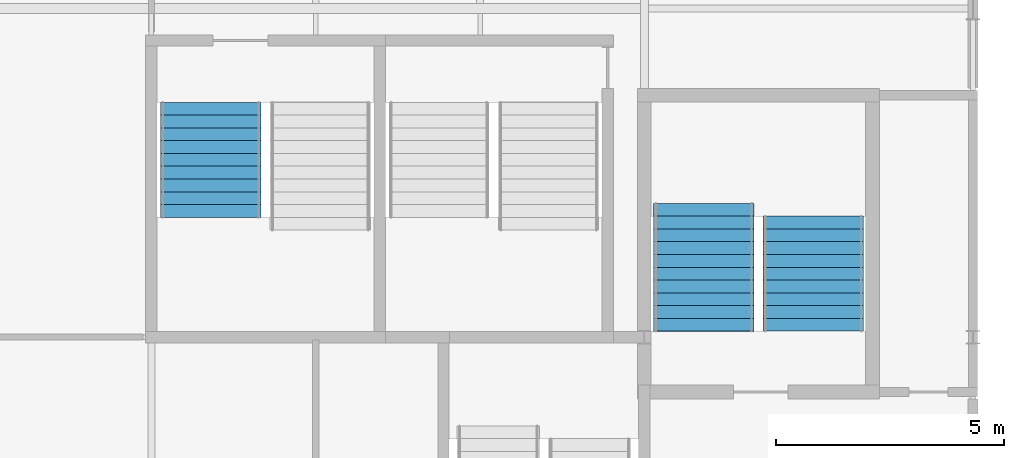
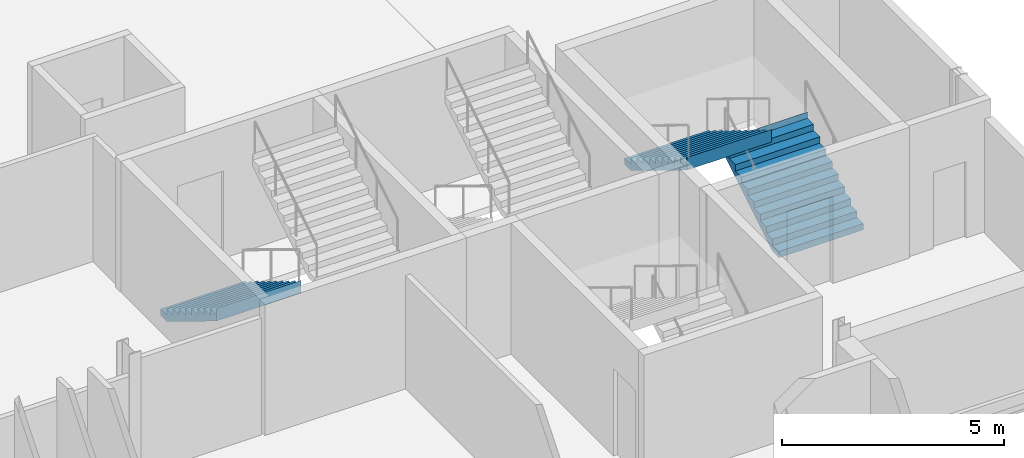
# One storey, part 92 of 143: 3 stair flights, 2 elements without a shape of their own.
"""IFC4 building model written with IfcOpenShell, lengths in metres."""

from ifc_helpers import new_model, si_unit, direction, frame, origin, place, context, subcontext, project, spatial, polyline, outline, extrude, material, type_object, element, aggregate, save


model = new_model("IFC4")

# Units and contexts
model_context = context("Model", 3, precision=1e-05, world=origin(), true_north=direction((0.0, 1.0)))
body_context = subcontext(model_context, "Body", "Model", "MODEL_VIEW")
ifc_project = project(units=[si_unit("LENGTHUNIT", "METRE"), si_unit("AREAUNIT", "SQUARE_METRE"), si_unit("VOLUMEUNIT", "CUBIC_METRE"), si_unit("PLANEANGLEUNIT", "RADIAN"), si_unit("MASSUNIT", "GRAM", prefix="KILO")], contexts=[model_context])

# Site, building, storey
site_placement = place(None, origin())
site = spatial("IfcSite", under=ifc_project, at=site_placement, CompositionType="ELEMENT")
building_placement = place(site_placement, origin())
building = spatial("IfcBuilding", under=site, at=building_placement, Name="Kupolbacken Congress Centre", CompositionType="ELEMENT")
storey_placement = place(building_placement, frame((0.0, 0.0, 7.199951171875)))
storey = spatial("IfcBuildingStorey", under=building, at=storey_placement, Name="L02", CompositionType="ELEMENT", Elevation=7.199951171875)

# Stair, stair flight
ifc_material_1 = material(Name="Concrete C30/37", Category="concrete")
stair_type = type_object("IfcStairType", Name="ST13 stair 2200", PredefinedType="TWO_STRAIGHT_RUN_STAIR", material=ifc_material_1)
stair_1_placement = place(storey_placement, origin())
stair_1 = element("IfcStair", 1, at=stair_1_placement, inside=storey, type_object=stair_type, Name="C/stair/PS1SE/L02", PredefinedType="NOTDEFINED")
ifc_material_2 = material(Name="Concrete C30/37", Category="concrete")
stair_flight_type_1 = type_object("IfcStairFlightType", Name="FL13 stair flight 2200 x 10 risers", PredefinedType="STRAIGHT", material=ifc_material_2)
stair_flight_1_placement = place(storey_placement, frame((69.699951171875, 55.544921875, 0.0), z_axis=(0.0, 0.0, 1.0), x_axis=(0.0, -1.0, 0.0)))
stair_flight_1 = element("IfcStairFlight", 2, at=stair_flight_1_placement, type_object=stair_flight_type_1, Name="PS1SE flight 1", NumberOfRisers=10, NumberOfTreads=9, PredefinedType="STRAIGHT", RiserHeight=0.171428571, TreadLength=0.28, context=body_context, shape_type="SweptSolid", body=[
    extrude(outline(polyline([(0.0, 0.0), (0.0, 0.0009765625), (0.0, 0.002197265625), (0.0, 0.003173828125), (0.0, 0.004150390625), (0.0, 0.00537109375), (0.0, 0.00634765625), (0.0, 0.007568359375), (0.0, 0.008544921875), (0.0, 0.009521484375), (0.0, 0.0107421875), (0.0, 0.01171875), (0.0, 0.0126953125), (0.0, 0.013916015625), (0.0, 0.014892578125), (0.0, 0.015869140625), (0.0, 0.01708984375), (0.0, 0.01806640625), (0.0, 0.019287109375), (0.0, 0.020263671875), (0.0, 0.021240234375), (0.0, 0.0224609375), (0.0, 0.0234375), (0.0, 0.0244140625), (0.0, 0.025634765625), (0.0, 0.026611328125), (0.0, 0.027587890625), (0.0, 0.02880859375), (0.0, 0.02978515625), (0.0, 0.03076171875), (0.0, 0.031982421875), (0.0, 0.032958984375), (0.0, 0.0341796875), (0.0, 0.03515625), (0.0, 0.0361328125), (0.0, 0.037353515625), (0.0, 0.038330078125), (0.0, 0.039306640625), (0.0, 0.04052734375), (0.0, 0.04150390625), (0.0, 0.04248046875), (0.0, 0.043701171875), (0.0, 0.044677734375), (0.0, 0.0458984375), (0.0, 0.046875), (0.0, 0.0478515625), (0.0, 0.049072265625), (0.0, 0.050048828125), (0.0, 0.051025390625), (0.0, 0.05224609375), (0.0, 0.05322265625), (0.0, 0.05419921875), (0.0, 0.055419921875), (0.0, 0.056396484375), (0.0, 0.0576171875), (0.0, 0.05859375), (0.0, 0.0595703125), (0.0, 0.060791015625), (0.0, 0.061767578125), (0.0, 0.062744140625), (0.0, 0.06396484375), (0.0, 0.06494140625), (0.0, 0.06591796875), (0.0, 0.067138671875), (0.0, 0.068115234375), (0.0, 0.069091796875), (0.0, 0.0703125), (0.0, 0.0712890625), (0.0, 0.072509765625), (0.0, 0.073486328125), (0.0, 0.074462890625), (0.0, 0.07568359375), (0.0, 0.07666015625), (0.0, 0.07763671875), (0.0, 0.078857421875), (0.0, 0.079833984375), (0.0, 0.080810546875), (0.0, 0.08203125), (0.0, 0.0830078125), (0.0, 0.084228515625), (0.0, 0.085205078125), (0.0, 0.086181640625), (0.0, 0.08740234375), (0.0, 0.08837890625), (0.0, 0.08935546875), (0.0, 0.090576171875), (0.0, 0.091552734375), (0.0, 0.092529296875), (0.0, 0.09375), (0.0, 0.0947265625), (0.0, 0.095947265625), (0.0, 0.096923828125), (0.0, 0.097900390625), (0.0, 0.09912109375), (0.0, 0.10009765625), (0.0, 0.10107421875), (0.0, 0.102294921875), (0.0, 0.103271484375), (0.0, 0.104248046875), (0.0, 0.10546875), (0.0, 0.1064453125), (0.0, 0.107421875), (0.0, 0.108642578125), (0.0, 0.109619140625), (0.0, 0.11083984375), (0.0, 0.11181640625), (0.0, 0.11279296875), (0.0, 0.114013671875), (0.0, 0.114990234375), (0.0, 0.115966796875), (0.0, 0.1171875), (0.0, 0.1181640625), (0.0, 0.119140625), (0.0, 0.120361328125), (0.0, 0.121337890625), (0.0, 0.12255859375), (0.0, 0.12353515625), (0.0, 0.12451171875), (0.0, 0.125732421875), (0.0, 0.126708984375), (0.0, 0.127685546875), (0.0, 0.12890625), (0.0, 0.1298828125), (0.0, 0.130859375), (0.0, 0.132080078125), (0.0, 0.133056640625), (0.0, 0.13427734375), (0.0, 0.13525390625), (0.0, 0.13623046875), (0.0, 0.137451171875), (0.0, 0.138427734375), (0.0, 0.139404296875), (0.0, 0.140625), (0.0, 0.1416015625), (0.0, 0.142578125), (0.0, 0.143798828125), (0.0, 0.144775390625), (0.0, 0.145751953125), (0.0, 0.14697265625), (0.0, 0.14794921875), (0.0, 0.149169921875), (0.0, 0.150146484375), (0.0, 0.151123046875), (0.0, 0.15234375), (0.0, 0.1533203125), (0.0, 0.154296875), (0.0, 0.155517578125), (0.0, 0.156494140625), (0.0, 0.157470703125), (0.0, 0.15869140625), (0.0, 0.15966796875), (0.0, 0.160888671875), (0.0, 0.161865234375), (0.0, 0.162841796875), (0.0, 0.1640625), (0.0, 0.1650390625), (0.0, 0.166015625), (0.0, 0.167236328125), (0.0, 0.168212890625), (0.0, 0.169189453125), (0.0, 0.17041015625), (0.0, 0.17138671875), (0.280029296875, 0.17138671875), (0.280029296875, 0.3427734375), (0.56005859375, 0.3427734375), (0.56005859375, 0.514404296875), (0.840087890625, 0.514404296875), (0.840087890625, 0.685791015625), (1.1201171875, 0.685791015625), (1.1201171875, 0.857177734375), (1.39990234375, 0.857177734375), (1.39990234375, 1.028564453125), (1.679931640625, 1.028564453125), (1.679931640625, 1.199951171875), (1.9599609375, 1.199951171875), (1.9599609375, 1.371337890625), (2.239990234375, 1.371337890625), (2.239990234375, 1.54296875), (2.52001953125, 1.54296875), (2.52001953125, 1.71435546875), (2.52197265625, 1.71435546875), (2.52197265625, 1.712158203125), (2.52197265625, 1.7099609375), (2.52197265625, 1.707763671875), (2.52197265625, 1.70556640625), (2.52197265625, 1.70361328125), (2.52197265625, 1.701416015625), (2.52197265625, 1.69921875), (2.52197265625, 1.697021484375), (2.52197265625, 1.69482421875), (2.52197265625, 1.692626953125), (2.52197265625, 1.690673828125), (2.52197265625, 1.6884765625), (2.52197265625, 1.686279296875), (2.52197265625, 1.68408203125), (2.52197265625, 1.681884765625), (2.52197265625, 1.6796875), (2.52197265625, 1.677734375), (2.52197265625, 1.675537109375), (2.52197265625, 1.67333984375), (2.52197265625, 1.671142578125), (2.52197265625, 1.6689453125), (2.52197265625, 1.666748046875), (2.52197265625, 1.664794921875), (2.52197265625, 1.66259765625), (2.52197265625, 1.660400390625), (2.52197265625, 1.658203125), (2.52197265625, 1.656005859375), (2.52197265625, 1.65380859375), (2.52197265625, 1.65185546875), (2.52197265625, 1.649658203125), (2.52197265625, 1.6474609375), (2.52197265625, 1.645263671875), (2.52197265625, 1.64306640625), (2.52197265625, 1.640869140625), (2.52197265625, 1.638916015625), (2.52197265625, 1.63671875), (2.52197265625, 1.634521484375), (2.52197265625, 1.63232421875), (2.52197265625, 1.630126953125), (2.52197265625, 1.6279296875), (2.52197265625, 1.6259765625), (2.52197265625, 1.623779296875), (2.52197265625, 1.62158203125), (2.52197265625, 1.619384765625), (2.52197265625, 1.6171875), (2.52197265625, 1.614990234375), (2.52197265625, 1.613037109375), (2.52197265625, 1.61083984375), (2.52197265625, 1.608642578125), (2.52197265625, 1.6064453125), (2.52197265625, 1.604248046875), (2.52197265625, 1.60205078125), (2.52197265625, 1.60009765625), (2.52197265625, 1.597900390625), (2.52197265625, 1.595703125), (2.52197265625, 1.593505859375), (2.52197265625, 1.59130859375), (2.52197265625, 1.589111328125), (2.52197265625, 1.587158203125), (2.52197265625, 1.5849609375), (2.52197265625, 1.582763671875), (2.52197265625, 1.58056640625), (2.52197265625, 1.578369140625), (2.52197265625, 1.576171875), (2.52197265625, 1.57421875), (2.52197265625, 1.572021484375), (2.52197265625, 1.56982421875), (2.52197265625, 1.567626953125), (2.52197265625, 1.5654296875), (2.52197265625, 1.563232421875), (2.52197265625, 1.561279296875), (2.52197265625, 1.55908203125), (2.52197265625, 1.556884765625), (2.52197265625, 1.5546875), (2.52197265625, 1.552490234375), (2.52197265625, 1.55029296875), (2.52197265625, 1.54833984375), (2.52197265625, 1.546142578125), (2.52197265625, 1.5439453125), (2.52197265625, 1.541748046875), (2.52197265625, 1.53955078125), (2.52197265625, 1.537353515625), (2.52197265625, 1.535400390625), (2.52197265625, 1.533203125), (2.52197265625, 1.531005859375), (2.52197265625, 1.52880859375), (2.52197265625, 1.526611328125), (2.52197265625, 1.5244140625), (2.52197265625, 1.5224609375), (2.52197265625, 1.520263671875), (2.52197265625, 1.51806640625), (2.52197265625, 1.515869140625), (2.52197265625, 1.513671875), (2.52197265625, 1.511474609375), (2.52197265625, 1.509521484375), (2.52197265625, 1.50732421875), (2.52197265625, 1.505126953125), (2.52197265625, 1.5029296875), (2.52197265625, 1.500732421875), (2.52197265625, 1.49853515625), (2.52197265625, 1.49658203125), (2.52197265625, 1.494384765625), (2.52197265625, 1.4921875), (2.52197265625, 1.489990234375), (2.52197265625, 1.48779296875), (2.52197265625, 1.485595703125), (2.52197265625, 1.483642578125), (2.52197265625, 1.4814453125), (2.52197265625, 1.479248046875), (2.52197265625, 1.47705078125), (2.52197265625, 1.474853515625), (2.52197265625, 1.47265625), (2.52197265625, 1.470703125), (2.52197265625, 1.468505859375), (2.52197265625, 1.46630859375), (2.52197265625, 1.464111328125), (2.52197265625, 1.4619140625), (2.52197265625, 1.459716796875), (2.52197265625, 1.457763671875), (2.52197265625, 1.45556640625), (2.52197265625, 1.453369140625), (2.52197265625, 1.451171875), (2.52197265625, 1.448974609375), (2.52197265625, 1.44677734375), (2.52197265625, 1.44482421875), (2.52197265625, 1.442626953125), (2.52197265625, 1.4404296875), (2.52197265625, 1.438232421875), (2.52197265625, 1.43603515625), (2.52197265625, 1.433837890625), (2.52197265625, 1.431884765625), (2.52197265625, 1.4296875), (2.52197265625, 1.427490234375), (2.52197265625, 1.42529296875), (2.52197265625, 1.423095703125), (2.52197265625, 1.4208984375), (2.52197265625, 1.4189453125), (2.52197265625, 1.416748046875), (2.52197265625, 1.41455078125), (2.52197265625, 1.412353515625), (2.52197265625, 1.41015625), (2.52197265625, 1.407958984375), (2.52197265625, 1.406005859375), (2.52197265625, 1.40380859375), (2.52197265625, 1.401611328125), (2.52197265625, 1.3994140625), (2.52197265625, 1.397216796875), (2.52197265625, 1.39501953125), (2.52197265625, 1.39306640625), (2.52197265625, 1.390869140625), (2.52197265625, 1.388671875), (2.52197265625, 1.386474609375), (2.52197265625, 1.38427734375), (2.52197265625, 1.382080078125), (2.52197265625, 1.380126953125), (2.52197265625, 1.3779296875), (2.52197265625, 1.375732421875), (2.52197265625, 1.37353515625), (2.52197265625, 1.371337890625), (2.52197265625, 1.369140625), (2.52197265625, 1.3671875), (0.2890625, 0.0), (0.0, 0.0)])), frame((0.0, 1.10009765625, 0.0), z_axis=(0.0, -1.0, 0.0), x_axis=(1.0, 0.0, 0.0)), (0.0, 0.0, 1.0), 2.199951171875),
])
aggregate(stair_1, [stair_flight_1])

# Stair, stair flights
stair_2_placement = place(storey_placement, origin())
stair_2 = element("IfcStair", 3, at=stair_2_placement, inside=storey, type_object=stair_type, Name="C/stair/LS1/L02", PredefinedType="NOTDEFINED")
stair_flight_2_placement = place(storey_placement, frame((82.89990234375, 50.530029296875, 0.0), z_axis=(0.0, 0.0, 1.0), x_axis=(0.0, 1.0, 0.0)))
stair_flight_2 = element("IfcStairFlight", 4, at=stair_flight_2_placement, type_object=stair_flight_type_1, Name="LS1 flight 1", NumberOfRisers=10, NumberOfTreads=9, PredefinedType="STRAIGHT", RiserHeight=0.171428571, TreadLength=0.28, context=body_context, shape_type="SweptSolid", body=[
    extrude(outline(polyline([(0.0, 0.0), (0.0, 0.0009765625), (0.0, 0.002197265625), (0.0, 0.003173828125), (0.0, 0.004150390625), (0.0, 0.00537109375), (0.0, 0.00634765625), (0.0, 0.007568359375), (0.0, 0.008544921875), (0.0, 0.009521484375), (0.0, 0.0107421875), (0.0, 0.01171875), (0.0, 0.0126953125), (0.0, 0.013916015625), (0.0, 0.014892578125), (0.0, 0.015869140625), (0.0, 0.01708984375), (0.0, 0.01806640625), (0.0, 0.019287109375), (0.0, 0.020263671875), (0.0, 0.021240234375), (0.0, 0.0224609375), (0.0, 0.0234375), (0.0, 0.0244140625), (0.0, 0.025634765625), (0.0, 0.026611328125), (0.0, 0.027587890625), (0.0, 0.02880859375), (0.0, 0.02978515625), (0.0, 0.03076171875), (0.0, 0.031982421875), (0.0, 0.032958984375), (0.0, 0.0341796875), (0.0, 0.03515625), (0.0, 0.0361328125), (0.0, 0.037353515625), (0.0, 0.038330078125), (0.0, 0.039306640625), (0.0, 0.04052734375), (0.0, 0.04150390625), (0.0, 0.04248046875), (0.0, 0.043701171875), (0.0, 0.044677734375), (0.0, 0.0458984375), (0.0, 0.046875), (0.0, 0.0478515625), (0.0, 0.049072265625), (0.0, 0.050048828125), (0.0, 0.051025390625), (0.0, 0.05224609375), (0.0, 0.05322265625), (0.0, 0.05419921875), (0.0, 0.055419921875), (0.0, 0.056396484375), (0.0, 0.0576171875), (0.0, 0.05859375), (0.0, 0.0595703125), (0.0, 0.060791015625), (0.0, 0.061767578125), (0.0, 0.062744140625), (0.0, 0.06396484375), (0.0, 0.06494140625), (0.0, 0.06591796875), (0.0, 0.067138671875), (0.0, 0.068115234375), (0.0, 0.069091796875), (0.0, 0.0703125), (0.0, 0.0712890625), (0.0, 0.072509765625), (0.0, 0.073486328125), (0.0, 0.074462890625), (0.0, 0.07568359375), (0.0, 0.07666015625), (0.0, 0.07763671875), (0.0, 0.078857421875), (0.0, 0.079833984375), (0.0, 0.080810546875), (0.0, 0.08203125), (0.0, 0.0830078125), (0.0, 0.084228515625), (0.0, 0.085205078125), (0.0, 0.086181640625), (0.0, 0.08740234375), (0.0, 0.08837890625), (0.0, 0.08935546875), (0.0, 0.090576171875), (0.0, 0.091552734375), (0.0, 0.092529296875), (0.0, 0.09375), (0.0, 0.0947265625), (0.0, 0.095947265625), (0.0, 0.096923828125), (0.0, 0.097900390625), (0.0, 0.09912109375), (0.0, 0.10009765625), (0.0, 0.10107421875), (0.0, 0.102294921875), (0.0, 0.103271484375), (0.0, 0.104248046875), (0.0, 0.10546875), (0.0, 0.1064453125), (0.0, 0.107421875), (0.0, 0.108642578125), (0.0, 0.109619140625), (0.0, 0.11083984375), (0.0, 0.11181640625), (0.0, 0.11279296875), (0.0, 0.114013671875), (0.0, 0.114990234375), (0.0, 0.115966796875), (0.0, 0.1171875), (0.0, 0.1181640625), (0.0, 0.119140625), (0.0, 0.120361328125), (0.0, 0.121337890625), (0.0, 0.12255859375), (0.0, 0.12353515625), (0.0, 0.12451171875), (0.0, 0.125732421875), (0.0, 0.126708984375), (0.0, 0.127685546875), (0.0, 0.12890625), (0.0, 0.1298828125), (0.0, 0.130859375), (0.0, 0.132080078125), (0.0, 0.133056640625), (0.0, 0.13427734375), (0.0, 0.13525390625), (0.0, 0.13623046875), (0.0, 0.137451171875), (0.0, 0.138427734375), (0.0, 0.139404296875), (0.0, 0.140625), (0.0, 0.1416015625), (0.0, 0.142578125), (0.0, 0.143798828125), (0.0, 0.144775390625), (0.0, 0.145751953125), (0.0, 0.14697265625), (0.0, 0.14794921875), (0.0, 0.149169921875), (0.0, 0.150146484375), (0.0, 0.151123046875), (0.0, 0.15234375), (0.0, 0.1533203125), (0.0, 0.154296875), (0.0, 0.155517578125), (0.0, 0.156494140625), (0.0, 0.157470703125), (0.0, 0.15869140625), (0.0, 0.15966796875), (0.0, 0.160888671875), (0.0, 0.161865234375), (0.0, 0.162841796875), (0.0, 0.1640625), (0.0, 0.1650390625), (0.0, 0.166015625), (0.0, 0.167236328125), (0.0, 0.168212890625), (0.0, 0.169189453125), (0.0, 0.17041015625), (0.0, 0.17138671875), (0.280029296875, 0.17138671875), (0.280029296875, 0.3427734375), (0.56005859375, 0.3427734375), (0.56005859375, 0.514404296875), (0.840087890625, 0.514404296875), (0.840087890625, 0.685791015625), (1.1201171875, 0.685791015625), (1.1201171875, 0.857177734375), (1.39990234375, 0.857177734375), (1.39990234375, 1.028564453125), (1.679931640625, 1.028564453125), (1.679931640625, 1.199951171875), (1.9599609375, 1.199951171875), (1.9599609375, 1.371337890625), (2.239990234375, 1.371337890625), (2.239990234375, 1.54296875), (2.52001953125, 1.54296875), (2.52001953125, 1.71435546875), (2.52197265625, 1.71435546875), (2.52197265625, 1.712158203125), (2.52197265625, 1.7099609375), (2.52197265625, 1.707763671875), (2.52197265625, 1.70556640625), (2.52197265625, 1.70361328125), (2.52197265625, 1.701416015625), (2.52197265625, 1.69921875), (2.52197265625, 1.697021484375), (2.52197265625, 1.69482421875), (2.52197265625, 1.692626953125), (2.52197265625, 1.690673828125), (2.52197265625, 1.6884765625), (2.52197265625, 1.686279296875), (2.52197265625, 1.68408203125), (2.52197265625, 1.681884765625), (2.52197265625, 1.6796875), (2.52197265625, 1.677734375), (2.52197265625, 1.675537109375), (2.52197265625, 1.67333984375), (2.52197265625, 1.671142578125), (2.52197265625, 1.6689453125), (2.52197265625, 1.666748046875), (2.52197265625, 1.664794921875), (2.52197265625, 1.66259765625), (2.52197265625, 1.660400390625), (2.52197265625, 1.658203125), (2.52197265625, 1.656005859375), (2.52197265625, 1.65380859375), (2.52197265625, 1.65185546875), (2.52197265625, 1.649658203125), (2.52197265625, 1.6474609375), (2.52197265625, 1.645263671875), (2.52197265625, 1.64306640625), (2.52197265625, 1.640869140625), (2.52197265625, 1.638916015625), (2.52197265625, 1.63671875), (2.52197265625, 1.634521484375), (2.52197265625, 1.63232421875), (2.52197265625, 1.630126953125), (2.52197265625, 1.6279296875), (2.52197265625, 1.6259765625), (2.52197265625, 1.623779296875), (2.52197265625, 1.62158203125), (2.52197265625, 1.619384765625), (2.52197265625, 1.6171875), (2.52197265625, 1.614990234375), (2.52197265625, 1.613037109375), (2.52197265625, 1.61083984375), (2.52197265625, 1.608642578125), (2.52197265625, 1.6064453125), (2.52197265625, 1.604248046875), (2.52197265625, 1.60205078125), (2.52197265625, 1.60009765625), (2.52197265625, 1.597900390625), (2.52197265625, 1.595703125), (2.52197265625, 1.593505859375), (2.52197265625, 1.59130859375), (2.52197265625, 1.589111328125), (2.52197265625, 1.587158203125), (2.52197265625, 1.5849609375), (2.52197265625, 1.582763671875), (2.52197265625, 1.58056640625), (2.52197265625, 1.578369140625), (2.52197265625, 1.576171875), (2.52197265625, 1.57421875), (2.52197265625, 1.572021484375), (2.52197265625, 1.56982421875), (2.52197265625, 1.567626953125), (2.52197265625, 1.5654296875), (2.52197265625, 1.563232421875), (2.52197265625, 1.561279296875), (2.52197265625, 1.55908203125), (2.52197265625, 1.556884765625), (2.52197265625, 1.5546875), (2.52197265625, 1.552490234375), (2.52197265625, 1.55029296875), (2.52197265625, 1.54833984375), (2.52197265625, 1.546142578125), (2.52197265625, 1.5439453125), (2.52197265625, 1.541748046875), (2.52197265625, 1.53955078125), (2.52197265625, 1.537353515625), (2.52197265625, 1.535400390625), (2.52197265625, 1.533203125), (2.52197265625, 1.531005859375), (2.52197265625, 1.52880859375), (2.52197265625, 1.526611328125), (2.52197265625, 1.5244140625), (2.52197265625, 1.5224609375), (2.52197265625, 1.520263671875), (2.52197265625, 1.51806640625), (2.52197265625, 1.515869140625), (2.52197265625, 1.513671875), (2.52197265625, 1.511474609375), (2.52197265625, 1.509521484375), (2.52197265625, 1.50732421875), (2.52197265625, 1.505126953125), (2.52197265625, 1.5029296875), (2.52197265625, 1.500732421875), (2.52197265625, 1.49853515625), (2.52197265625, 1.49658203125), (2.52197265625, 1.494384765625), (2.52197265625, 1.4921875), (2.52197265625, 1.489990234375), (2.52197265625, 1.48779296875), (2.52197265625, 1.485595703125), (2.52197265625, 1.483642578125), (2.52197265625, 1.4814453125), (2.52197265625, 1.479248046875), (2.52197265625, 1.47705078125), (2.52197265625, 1.474853515625), (2.52197265625, 1.47265625), (2.52197265625, 1.470703125), (2.52197265625, 1.468505859375), (2.52197265625, 1.46630859375), (2.52197265625, 1.464111328125), (2.52197265625, 1.4619140625), (2.52197265625, 1.459716796875), (2.52197265625, 1.457763671875), (2.52197265625, 1.45556640625), (2.52197265625, 1.453369140625), (2.52197265625, 1.451171875), (2.52197265625, 1.448974609375), (2.52197265625, 1.44677734375), (2.52197265625, 1.44482421875), (2.52197265625, 1.442626953125), (2.52197265625, 1.4404296875), (2.52197265625, 1.438232421875), (2.52197265625, 1.43603515625), (2.52197265625, 1.433837890625), (2.52197265625, 1.431884765625), (2.52197265625, 1.4296875), (2.52197265625, 1.427490234375), (2.52197265625, 1.42529296875), (2.52197265625, 1.423095703125), (2.52197265625, 1.4208984375), (2.52197265625, 1.4189453125), (2.52197265625, 1.416748046875), (2.52197265625, 1.41455078125), (2.52197265625, 1.412353515625), (2.52197265625, 1.41015625), (2.52197265625, 1.407958984375), (2.52197265625, 1.406005859375), (2.52197265625, 1.40380859375), (2.52197265625, 1.401611328125), (2.52197265625, 1.3994140625), (2.52197265625, 1.397216796875), (2.52197265625, 1.39501953125), (2.52197265625, 1.39306640625), (2.52197265625, 1.390869140625), (2.52197265625, 1.388671875), (2.52197265625, 1.386474609375), (2.52197265625, 1.38427734375), (2.52197265625, 1.382080078125), (2.52197265625, 1.380126953125), (2.52197265625, 1.3779296875), (2.52197265625, 1.375732421875), (2.52197265625, 1.37353515625), (2.52197265625, 1.371337890625), (2.52197265625, 1.369140625), (2.52197265625, 1.3671875), (0.2890625, 0.0), (0.0, 0.0)])), frame((0.0, 1.10009765625, 0.0), z_axis=(0.0, -1.0, 0.0), x_axis=(1.0, 0.0, 0.0)), (0.0, 0.0, 1.0), 2.199951171875),
])
ifc_material_3 = material(Name="Concrete C30/37", Category="concrete")
stair_flight_type_2 = type_object("IfcStairFlightType", Name="FL14 stair flight 2200 x 11 risers", PredefinedType="STRAIGHT", material=ifc_material_3)
stair_flight_3_placement = place(storey_placement, frame((80.5, 53.330078125, 1.71435546875), z_axis=(0.0, 0.0, 1.0), x_axis=(0.0, -1.0, 0.0)))
stair_flight_3 = element("IfcStairFlight", 5, at=stair_flight_3_placement, type_object=stair_flight_type_2, Name="LS1 flight 2", NumberOfRisers=11, NumberOfTreads=10, PredefinedType="STRAIGHT", RiserHeight=0.171428571, TreadLength=0.28, context=body_context, shape_type="SweptSolid", body=[
    extrude(outline(polyline([(0.0, 0.0), (0.0, 0.0009765625), (0.0, 0.002197265625), (0.0, 0.003173828125), (0.0, 0.004150390625), (0.0, 0.00537109375), (0.0, 0.00634765625), (0.0, 0.007568359375), (0.0, 0.008544921875), (0.0, 0.009521484375), (0.0, 0.0107421875), (0.0, 0.01171875), (0.0, 0.0126953125), (0.0, 0.013916015625), (0.0, 0.014892578125), (0.0, 0.015869140625), (0.0, 0.01708984375), (0.0, 0.01806640625), (0.0, 0.019287109375), (0.0, 0.020263671875), (0.0, 0.021240234375), (0.0, 0.0224609375), (0.0, 0.0234375), (0.0, 0.0244140625), (0.0, 0.025634765625), (0.0, 0.026611328125), (0.0, 0.027587890625), (0.0, 0.02880859375), (0.0, 0.02978515625), (0.0, 0.03076171875), (0.0, 0.031982421875), (0.0, 0.032958984375), (0.0, 0.0341796875), (0.0, 0.03515625), (0.0, 0.0361328125), (0.0, 0.037353515625), (0.0, 0.038330078125), (0.0, 0.039306640625), (0.0, 0.04052734375), (0.0, 0.04150390625), (0.0, 0.04248046875), (0.0, 0.043701171875), (0.0, 0.044677734375), (0.0, 0.0458984375), (0.0, 0.046875), (0.0, 0.0478515625), (0.0, 0.049072265625), (0.0, 0.050048828125), (0.0, 0.051025390625), (0.0, 0.05224609375), (0.0, 0.05322265625), (0.0, 0.05419921875), (0.0, 0.055419921875), (0.0, 0.056396484375), (0.0, 0.0576171875), (0.0, 0.05859375), (0.0, 0.0595703125), (0.0, 0.060791015625), (0.0, 0.061767578125), (0.0, 0.062744140625), (0.0, 0.06396484375), (0.0, 0.06494140625), (0.0, 0.06591796875), (0.0, 0.067138671875), (0.0, 0.068115234375), (0.0, 0.069091796875), (0.0, 0.0703125), (0.0, 0.0712890625), (0.0, 0.072509765625), (0.0, 0.073486328125), (0.0, 0.074462890625), (0.0, 0.07568359375), (0.0, 0.07666015625), (0.0, 0.07763671875), (0.0, 0.078857421875), (0.0, 0.079833984375), (0.0, 0.080810546875), (0.0, 0.08203125), (0.0, 0.0830078125), (0.0, 0.084228515625), (0.0, 0.085205078125), (0.0, 0.086181640625), (0.0, 0.08740234375), (0.0, 0.08837890625), (0.0, 0.08935546875), (0.0, 0.090576171875), (0.0, 0.091552734375), (0.0, 0.092529296875), (0.0, 0.09375), (0.0, 0.0947265625), (0.0, 0.095947265625), (0.0, 0.096923828125), (0.0, 0.097900390625), (0.0, 0.09912109375), (0.0, 0.10009765625), (0.0, 0.10107421875), (0.0, 0.102294921875), (0.0, 0.103271484375), (0.0, 0.104248046875), (0.0, 0.10546875), (0.0, 0.1064453125), (0.0, 0.107421875), (0.0, 0.108642578125), (0.0, 0.109619140625), (0.0, 0.11083984375), (0.0, 0.11181640625), (0.0, 0.11279296875), (0.0, 0.114013671875), (0.0, 0.114990234375), (0.0, 0.115966796875), (0.0, 0.1171875), (0.0, 0.1181640625), (0.0, 0.119140625), (0.0, 0.120361328125), (0.0, 0.121337890625), (0.0, 0.12255859375), (0.0, 0.12353515625), (0.0, 0.12451171875), (0.0, 0.125732421875), (0.0, 0.126708984375), (0.0, 0.127685546875), (0.0, 0.12890625), (0.0, 0.1298828125), (0.0, 0.130859375), (0.0, 0.132080078125), (0.0, 0.133056640625), (0.0, 0.13427734375), (0.0, 0.13525390625), (0.0, 0.13623046875), (0.0, 0.137451171875), (0.0, 0.138427734375), (0.0, 0.139404296875), (0.0, 0.140625), (0.0, 0.1416015625), (0.0, 0.142578125), (0.0, 0.143798828125), (0.0, 0.144775390625), (0.0, 0.145751953125), (0.0, 0.14697265625), (0.0, 0.14794921875), (0.0, 0.149169921875), (0.0, 0.150146484375), (0.0, 0.151123046875), (0.0, 0.15234375), (0.0, 0.1533203125), (0.0, 0.154296875), (0.0, 0.155517578125), (0.0, 0.156494140625), (0.0, 0.157470703125), (0.0, 0.15869140625), (0.0, 0.15966796875), (0.0, 0.160888671875), (0.0, 0.161865234375), (0.0, 0.162841796875), (0.0, 0.1640625), (0.0, 0.1650390625), (0.0, 0.166015625), (0.0, 0.167236328125), (0.0, 0.168212890625), (0.0, 0.169189453125), (0.0, 0.17041015625), (0.0, 0.17138671875), (0.280029296875, 0.17138671875), (0.280029296875, 0.3427734375), (0.56005859375, 0.3427734375), (0.56005859375, 0.514404296875), (0.840087890625, 0.514404296875), (0.840087890625, 0.685791015625), (1.1201171875, 0.685791015625), (1.1201171875, 0.857177734375), (1.39990234375, 0.857177734375), (1.39990234375, 1.028564453125), (1.679931640625, 1.028564453125), (1.679931640625, 1.199951171875), (1.9599609375, 1.199951171875), (1.9599609375, 1.371337890625), (2.239990234375, 1.371337890625), (2.239990234375, 1.54296875), (2.52001953125, 1.54296875), (2.52001953125, 1.71435546875), (2.800048828125, 1.71435546875), (2.800048828125, 1.8857421875), (2.802001953125, 1.8857421875), (2.802001953125, 1.883544921875), (2.802001953125, 1.88134765625), (2.802001953125, 1.879150390625), (2.802001953125, 1.877197265625), (2.802001953125, 1.875), (2.802001953125, 1.872802734375), (2.802001953125, 1.87060546875), (2.802001953125, 1.868408203125), (2.802001953125, 1.8662109375), (2.802001953125, 1.8642578125), (2.802001953125, 1.862060546875), (2.802001953125, 1.85986328125), (2.802001953125, 1.857666015625), (2.802001953125, 1.85546875), (2.802001953125, 1.853271484375), (2.802001953125, 1.851318359375), (2.802001953125, 1.84912109375), (2.802001953125, 1.846923828125), (2.802001953125, 1.8447265625), (2.802001953125, 1.842529296875), (2.802001953125, 1.84033203125), (2.802001953125, 1.83837890625), (2.802001953125, 1.836181640625), (2.802001953125, 1.833984375), (2.802001953125, 1.831787109375), (2.802001953125, 1.82958984375), (2.802001953125, 1.827392578125), (2.802001953125, 1.825439453125), (2.802001953125, 1.8232421875), (2.802001953125, 1.821044921875), (2.802001953125, 1.81884765625), (2.802001953125, 1.816650390625), (2.802001953125, 1.814453125), (2.802001953125, 1.8125), (2.802001953125, 1.810302734375), (2.802001953125, 1.80810546875), (2.802001953125, 1.805908203125), (2.802001953125, 1.8037109375), (2.802001953125, 1.801513671875), (2.802001953125, 1.799560546875), (2.802001953125, 1.79736328125), (2.802001953125, 1.795166015625), (2.802001953125, 1.79296875), (2.802001953125, 1.790771484375), (2.802001953125, 1.78857421875), (2.802001953125, 1.78662109375), (2.802001953125, 1.784423828125), (2.802001953125, 1.7822265625), (2.802001953125, 1.780029296875), (2.802001953125, 1.77783203125), (2.802001953125, 1.775634765625), (2.802001953125, 1.773681640625), (2.802001953125, 1.771484375), (2.802001953125, 1.769287109375), (2.802001953125, 1.76708984375), (2.802001953125, 1.764892578125), (2.802001953125, 1.7626953125), (2.802001953125, 1.7607421875), (2.802001953125, 1.758544921875), (2.802001953125, 1.75634765625), (2.802001953125, 1.754150390625), (2.802001953125, 1.751953125), (2.802001953125, 1.749755859375), (2.802001953125, 1.747802734375), (2.802001953125, 1.74560546875), (2.802001953125, 1.743408203125), (2.802001953125, 1.7412109375), (2.802001953125, 1.739013671875), (2.802001953125, 1.73681640625), (2.802001953125, 1.73486328125), (2.802001953125, 1.732666015625), (2.802001953125, 1.73046875), (2.802001953125, 1.728271484375), (2.802001953125, 1.72607421875), (2.802001953125, 1.723876953125), (2.802001953125, 1.721923828125), (2.802001953125, 1.7197265625), (2.802001953125, 1.717529296875), (2.802001953125, 1.71533203125), (2.802001953125, 1.713134765625), (2.802001953125, 1.7109375), (2.802001953125, 1.708984375), (2.802001953125, 1.706787109375), (2.802001953125, 1.70458984375), (2.802001953125, 1.702392578125), (2.802001953125, 1.7001953125), (2.802001953125, 1.697998046875), (2.802001953125, 1.696044921875), (2.802001953125, 1.69384765625), (2.802001953125, 1.691650390625), (2.802001953125, 1.689453125), (2.802001953125, 1.687255859375), (2.802001953125, 1.68505859375), (2.802001953125, 1.68310546875), (2.802001953125, 1.680908203125), (2.802001953125, 1.6787109375), (2.802001953125, 1.676513671875), (2.802001953125, 1.67431640625), (2.802001953125, 1.672119140625), (2.802001953125, 1.670166015625), (2.802001953125, 1.66796875), (2.802001953125, 1.665771484375), (2.802001953125, 1.66357421875), (2.802001953125, 1.661376953125), (2.802001953125, 1.6591796875), (2.802001953125, 1.6572265625), (2.802001953125, 1.655029296875), (2.802001953125, 1.65283203125), (2.802001953125, 1.650634765625), (2.802001953125, 1.6484375), (2.802001953125, 1.646240234375), (2.802001953125, 1.644287109375), (2.802001953125, 1.64208984375), (2.802001953125, 1.639892578125), (2.802001953125, 1.6376953125), (2.802001953125, 1.635498046875), (2.802001953125, 1.63330078125), (2.802001953125, 1.63134765625), (2.802001953125, 1.629150390625), (2.802001953125, 1.626953125), (2.802001953125, 1.624755859375), (2.802001953125, 1.62255859375), (2.802001953125, 1.620361328125), (2.802001953125, 1.618408203125), (2.802001953125, 1.6162109375), (2.802001953125, 1.614013671875), (2.802001953125, 1.61181640625), (2.802001953125, 1.609619140625), (2.802001953125, 1.607421875), (2.802001953125, 1.60546875), (2.802001953125, 1.603271484375), (2.802001953125, 1.60107421875), (2.802001953125, 1.598876953125), (2.802001953125, 1.5966796875), (2.802001953125, 1.594482421875), (2.802001953125, 1.592529296875), (2.802001953125, 1.59033203125), (2.802001953125, 1.588134765625), (2.802001953125, 1.5859375), (2.802001953125, 1.583740234375), (2.802001953125, 1.58154296875), (2.802001953125, 1.57958984375), (2.802001953125, 1.577392578125), (2.802001953125, 1.5751953125), (2.802001953125, 1.572998046875), (2.802001953125, 1.57080078125), (2.802001953125, 1.568603515625), (2.802001953125, 1.566650390625), (2.802001953125, 1.564453125), (2.802001953125, 1.562255859375), (2.802001953125, 1.56005859375), (2.802001953125, 1.557861328125), (2.802001953125, 1.5556640625), (2.802001953125, 1.5537109375), (2.802001953125, 1.551513671875), (2.802001953125, 1.54931640625), (2.802001953125, 1.547119140625), (2.802001953125, 1.544921875), (2.802001953125, 1.542724609375), (2.802001953125, 1.540771484375), (2.802001953125, 1.53857421875), (0.2890625, 0.0), (0.0, 0.0)])), frame((0.0, 1.10009765625, 0.0), z_axis=(0.0, -1.0, 0.0), x_axis=(1.0, 0.0, 0.0)), (0.0, 0.0, 1.0), 2.199951171875),
])
aggregate(stair_2, [stair_flight_2, stair_flight_3])

save(model, "model.ifc")
